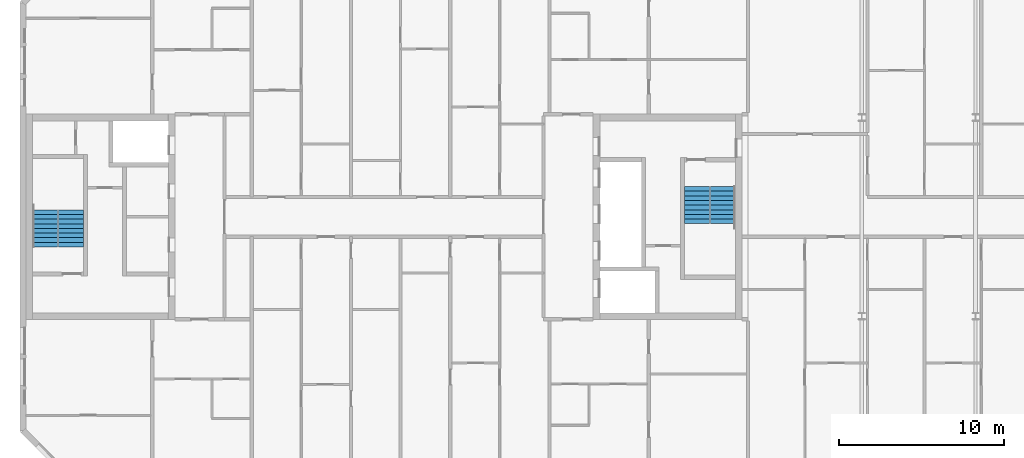
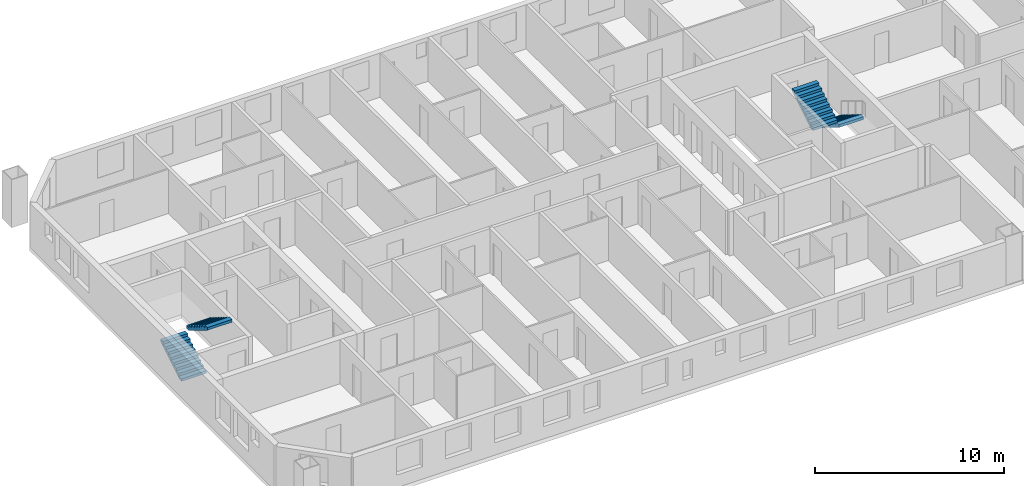
# One storey, part 18 of 19: 4 stair flights, 2 elements without a shape of their own.
"""IFC4 building model written with IfcOpenShell, lengths in metres."""

from ifc_helpers import new_model, si_unit, direction, frame, origin, place, context, subcontext, project, spatial, faceted_brep, material, type_object, element, aggregate, save


model = new_model("IFC4")

# Units and contexts
model_context = context("Model", 3, precision=1e-05, world=origin(), true_north=direction((0.0, 1.0)))
body_context = subcontext(model_context, "Body", "Model", "MODEL_VIEW")
ifc_project = project(units=[si_unit("LENGTHUNIT", "METRE"), si_unit("AREAUNIT", "SQUARE_METRE"), si_unit("VOLUMEUNIT", "CUBIC_METRE"), si_unit("PLANEANGLEUNIT", "RADIAN"), si_unit("MASSUNIT", "GRAM", prefix="KILO")], contexts=[model_context])

# Site, building, storey
site_placement = place(None, origin())
site = spatial("IfcSite", under=ifc_project, at=site_placement, CompositionType="ELEMENT")
building_placement = place(site_placement, origin())
building = spatial("IfcBuilding", under=site, at=building_placement, Name="Tuart Gate Housing", CompositionType="ELEMENT")
storey_placement = place(building_placement, frame((0.0, 0.0, 230.699951171875)))
storey = spatial("IfcBuildingStorey", under=building, at=storey_placement, Name="L65", CompositionType="ELEMENT", Elevation=230.699951171875)

# Stair, stair flights
ifc_material_1 = material(Name="Concrete C40", Category="concrete")
stair_type = type_object("IfcStairType", Name="Core stair 1500", PredefinedType="HALF_TURN_STAIR", material=ifc_material_1)
stair_1_placement = place(storey_placement, origin())
stair_1 = element("IfcStair", 1, at=stair_1_placement, inside=storey, type_object=stair_type, Name="Stair SA1", PredefinedType="HALF_TURN_STAIR")
ifc_material_2 = material(Name="Concrete C40", Category="concrete")
stair_flight_type = type_object("IfcStairFlightType", Name="Stair flight 1500, 9 risers 172 x 280", PredefinedType="STRAIGHT", material=ifc_material_2)
stair_flight_1_placement = place(storey_placement, frame((74.489990234375, 71.824951171875, 0.0), z_axis=(0.0, 0.0, 1.0), x_axis=(0.0, -1.0, 0.0)))
stair_flight_1 = element("IfcStairFlight", 2, at=stair_flight_1_placement, type_object=stair_flight_type, Name="SA1 flight 1", NumberOfRisers=9, NumberOfTreads=8, PredefinedType="STRAIGHT", RiserHeight=0.172222222, TreadLength=0.28, context=body_context, shape_type="Brep", body=[
    faceted_brep([(0.0, 0.75, 0.0), (0.0, 0.75, 0.172119140625), (0.280029296875, 0.75, 0.172119140625), (0.280029296875, 0.75, 0.344482421875), (0.56005859375, 0.75, 0.344482421875), (0.56005859375, 0.75, 0.5166015625), (0.840087890625, 0.75, 0.5166015625), (0.840087890625, 0.75, 0.68896484375), (1.1201171875, 0.75, 0.68896484375), (1.1201171875, 0.75, 0.861083984375), (1.39990234375, 0.75, 0.861083984375), (1.39990234375, 0.75, 1.033447265625), (1.679931640625, 0.75, 1.033447265625), (1.679931640625, 0.75, 1.20556640625), (1.9599609375, 0.75, 1.20556640625), (1.9599609375, 0.75, 1.377685546875), (2.239990234375, 0.75, 1.377685546875), (2.239990234375, 0.75, 1.201904296875), (0.2861328125, 0.75, 0.0), (0.2861328125, -0.75, 0.0), (2.239990234375, -0.75, 1.201904296875), (2.239990234375, -0.75, 1.377685546875), (1.9599609375, -0.75, 1.377685546875), (1.9599609375, -0.75, 1.20556640625), (1.679931640625, -0.75, 1.20556640625), (1.679931640625, -0.75, 1.033447265625), (1.39990234375, -0.75, 1.033447265625), (1.39990234375, -0.75, 0.861083984375), (1.1201171875, -0.75, 0.861083984375), (1.1201171875, -0.75, 0.68896484375), (0.840087890625, -0.75, 0.68896484375), (0.840087890625, -0.75, 0.5166015625), (0.56005859375, -0.75, 0.5166015625), (0.56005859375, -0.75, 0.344482421875), (0.280029296875, -0.75, 0.344482421875), (0.280029296875, -0.75, 0.172119140625), (0.0, -0.75, 0.172119140625), (0.0, -0.75, 0.0), (2.239990234375, 0.0, 1.201904296875), (0.2861328125, 0.0, 0.0), (2.239990234375, 0.0, 1.377685546875), (1.9599609375, 0.0, 1.377685546875), (1.9599609375, 0.0, 1.20556640625), (1.679931640625, 0.0, 1.20556640625), (1.679931640625, 0.0, 1.033447265625), (1.39990234375, 0.0, 1.033447265625), (1.39990234375, 0.0, 0.861083984375), (1.1201171875, 0.0, 0.861083984375), (1.1201171875, 0.0, 0.68896484375), (0.840087890625, 0.0, 0.68896484375), (0.840087890625, 0.0, 0.5166015625), (0.56005859375, 0.0, 0.5166015625), (0.56005859375, 0.0, 0.344482421875), (0.280029296875, 0.0, 0.344482421875), (0.280029296875, 0.0, 0.172119140625), (0.0, 0.0, 0.172119140625), (0.0, 0.0, 0.0)], [[[0, 1, 2, 3, 4, 5, 6, 7, 8, 9, 10, 11, 12, 13, 14, 15, 16, 17, 18]], [[19, 20, 21, 22, 23, 24, 25, 26, 27, 28, 29, 30, 31, 32, 33, 34, 35, 36, 37]], [[18, 17, 38, 39]], [[39, 38, 20, 19]], [[17, 16, 40, 38]], [[38, 40, 21, 20]], [[16, 15, 41, 40]], [[40, 41, 22, 21]], [[15, 14, 42, 41]], [[41, 42, 23, 22]], [[14, 13, 43, 42]], [[42, 43, 24, 23]], [[13, 12, 44, 43]], [[43, 44, 25, 24]], [[12, 11, 45, 44]], [[44, 45, 26, 25]], [[11, 10, 46, 45]], [[45, 46, 27, 26]], [[10, 9, 47, 46]], [[46, 47, 28, 27]], [[9, 8, 48, 47]], [[47, 48, 29, 28]], [[8, 7, 49, 48]], [[48, 49, 30, 29]], [[7, 6, 50, 49]], [[49, 50, 31, 30]], [[6, 5, 51, 50]], [[50, 51, 32, 31]], [[5, 4, 52, 51]], [[51, 52, 33, 32]], [[4, 3, 53, 52]], [[52, 53, 34, 33]], [[3, 2, 54, 53]], [[53, 54, 35, 34]], [[2, 1, 55, 54]], [[54, 55, 36, 35]], [[1, 0, 56, 55]], [[55, 56, 37, 36]], [[0, 18, 39, 56]], [[56, 39, 19, 37]]]),
])
stair_flight_2_placement = place(storey_placement, frame((72.9150390625, 69.5849609375, 1.550048828125), z_axis=(0.0, 0.0, 1.0), x_axis=(0.0, 1.0, 0.0)))
stair_flight_2 = element("IfcStairFlight", 3, at=stair_flight_2_placement, type_object=stair_flight_type, Name="SA1 flight 2", NumberOfRisers=9, NumberOfTreads=8, PredefinedType="STRAIGHT", RiserHeight=0.172222222, TreadLength=0.28, context=body_context, shape_type="Brep", body=[
    faceted_brep([(0.0, 0.75, 0.0), (0.0, 0.75, 0.172119140625), (0.280029296875, 0.75, 0.172119140625), (0.280029296875, 0.75, 0.344482421875), (0.56005859375, 0.75, 0.344482421875), (0.56005859375, 0.75, 0.5166015625), (0.840087890625, 0.75, 0.5166015625), (0.840087890625, 0.75, 0.68896484375), (1.1201171875, 0.75, 0.68896484375), (1.1201171875, 0.75, 0.861083984375), (1.39990234375, 0.75, 0.861083984375), (1.39990234375, 0.75, 1.033447265625), (1.679931640625, 0.75, 1.033447265625), (1.679931640625, 0.75, 1.20556640625), (1.9599609375, 0.75, 1.20556640625), (1.9599609375, 0.75, 1.377685546875), (2.239990234375, 0.75, 1.377685546875), (2.239990234375, 0.75, 1.201904296875), (0.2861328125, 0.75, 0.0), (0.2861328125, -0.75, 0.0), (2.239990234375, -0.75, 1.201904296875), (2.239990234375, -0.75, 1.377685546875), (1.9599609375, -0.75, 1.377685546875), (1.9599609375, -0.75, 1.20556640625), (1.679931640625, -0.75, 1.20556640625), (1.679931640625, -0.75, 1.033447265625), (1.39990234375, -0.75, 1.033447265625), (1.39990234375, -0.75, 0.861083984375), (1.1201171875, -0.75, 0.861083984375), (1.1201171875, -0.75, 0.68896484375), (0.840087890625, -0.75, 0.68896484375), (0.840087890625, -0.75, 0.5166015625), (0.56005859375, -0.75, 0.5166015625), (0.56005859375, -0.75, 0.344482421875), (0.280029296875, -0.75, 0.344482421875), (0.280029296875, -0.75, 0.172119140625), (0.0, -0.75, 0.172119140625), (0.0, -0.75, 0.0), (2.239990234375, 0.0, 1.201904296875), (0.2861328125, 0.0, 0.0), (2.239990234375, 0.0, 1.377685546875), (1.9599609375, 0.0, 1.377685546875), (1.9599609375, 0.0, 1.20556640625), (1.679931640625, 0.0, 1.20556640625), (1.679931640625, 0.0, 1.033447265625), (1.39990234375, 0.0, 1.033447265625), (1.39990234375, 0.0, 0.861083984375), (1.1201171875, 0.0, 0.861083984375), (1.1201171875, 0.0, 0.68896484375), (0.840087890625, 0.0, 0.68896484375), (0.840087890625, 0.0, 0.5166015625), (0.56005859375, 0.0, 0.5166015625), (0.56005859375, 0.0, 0.344482421875), (0.280029296875, 0.0, 0.344482421875), (0.280029296875, 0.0, 0.172119140625), (0.0, 0.0, 0.172119140625), (0.0, 0.0, 0.0)], [[[0, 1, 2, 3, 4, 5, 6, 7, 8, 9, 10, 11, 12, 13, 14, 15, 16, 17, 18]], [[19, 20, 21, 22, 23, 24, 25, 26, 27, 28, 29, 30, 31, 32, 33, 34, 35, 36, 37]], [[18, 17, 38, 39]], [[39, 38, 20, 19]], [[17, 16, 40, 38]], [[38, 40, 21, 20]], [[16, 15, 41, 40]], [[40, 41, 22, 21]], [[15, 14, 42, 41]], [[41, 42, 23, 22]], [[14, 13, 43, 42]], [[42, 43, 24, 23]], [[13, 12, 44, 43]], [[43, 44, 25, 24]], [[12, 11, 45, 44]], [[44, 45, 26, 25]], [[11, 10, 46, 45]], [[45, 46, 27, 26]], [[10, 9, 47, 46]], [[46, 47, 28, 27]], [[9, 8, 48, 47]], [[47, 48, 29, 28]], [[8, 7, 49, 48]], [[48, 49, 30, 29]], [[7, 6, 50, 49]], [[49, 50, 31, 30]], [[6, 5, 51, 50]], [[50, 51, 32, 31]], [[5, 4, 52, 51]], [[51, 52, 33, 32]], [[4, 3, 53, 52]], [[52, 53, 34, 33]], [[3, 2, 54, 53]], [[53, 54, 35, 34]], [[2, 1, 55, 54]], [[54, 55, 36, 35]], [[1, 0, 56, 55]], [[55, 56, 37, 36]], [[0, 18, 39, 56]], [[56, 39, 19, 37]]]),
])
aggregate(stair_1, [stair_flight_1, stair_flight_2])

stair_2_placement = place(storey_placement, origin())
stair_2 = element("IfcStair", 4, at=stair_2_placement, inside=storey, type_object=stair_type, Name="Stair SA2", PredefinedType="HALF_TURN_STAIR")
stair_flight_3_placement = place(storey_placement, frame((33.510009765625, 68.175048828125, 0.0), z_axis=(0.0, 0.0, 1.0), x_axis=(0.0, 1.0, 0.0)))
stair_flight_3 = element("IfcStairFlight", 5, at=stair_flight_3_placement, type_object=stair_flight_type, Name="SA2 flight 1", NumberOfRisers=9, NumberOfTreads=8, PredefinedType="STRAIGHT", RiserHeight=0.172222222, TreadLength=0.28, context=body_context, shape_type="Brep", body=[
    faceted_brep([(0.0, 0.75, 0.0), (0.0, 0.75, 0.172119140625), (0.280029296875, 0.75, 0.172119140625), (0.280029296875, 0.75, 0.344482421875), (0.56005859375, 0.75, 0.344482421875), (0.56005859375, 0.75, 0.5166015625), (0.840087890625, 0.75, 0.5166015625), (0.840087890625, 0.75, 0.68896484375), (1.1201171875, 0.75, 0.68896484375), (1.1201171875, 0.75, 0.861083984375), (1.39990234375, 0.75, 0.861083984375), (1.39990234375, 0.75, 1.033447265625), (1.679931640625, 0.75, 1.033447265625), (1.679931640625, 0.75, 1.20556640625), (1.9599609375, 0.75, 1.20556640625), (1.9599609375, 0.75, 1.377685546875), (2.239990234375, 0.75, 1.377685546875), (2.239990234375, 0.75, 1.201904296875), (0.2861328125, 0.75, 0.0), (0.2861328125, -0.75, 0.0), (2.239990234375, -0.75, 1.201904296875), (2.239990234375, -0.75, 1.377685546875), (1.9599609375, -0.75, 1.377685546875), (1.9599609375, -0.75, 1.20556640625), (1.679931640625, -0.75, 1.20556640625), (1.679931640625, -0.75, 1.033447265625), (1.39990234375, -0.75, 1.033447265625), (1.39990234375, -0.75, 0.861083984375), (1.1201171875, -0.75, 0.861083984375), (1.1201171875, -0.75, 0.68896484375), (0.840087890625, -0.75, 0.68896484375), (0.840087890625, -0.75, 0.5166015625), (0.56005859375, -0.75, 0.5166015625), (0.56005859375, -0.75, 0.344482421875), (0.280029296875, -0.75, 0.344482421875), (0.280029296875, -0.75, 0.172119140625), (0.0, -0.75, 0.172119140625), (0.0, -0.75, 0.0), (2.239990234375, 0.0, 1.201904296875), (0.2861328125, 0.0, 0.0), (2.239990234375, 0.0, 1.377685546875), (1.9599609375, 0.0, 1.377685546875), (1.9599609375, 0.0, 1.20556640625), (1.679931640625, 0.0, 1.20556640625), (1.679931640625, 0.0, 1.033447265625), (1.39990234375, 0.0, 1.033447265625), (1.39990234375, 0.0, 0.861083984375), (1.1201171875, 0.0, 0.861083984375), (1.1201171875, 0.0, 0.68896484375), (0.840087890625, 0.0, 0.68896484375), (0.840087890625, 0.0, 0.5166015625), (0.56005859375, 0.0, 0.5166015625), (0.56005859375, 0.0, 0.344482421875), (0.280029296875, 0.0, 0.344482421875), (0.280029296875, 0.0, 0.172119140625), (0.0, 0.0, 0.172119140625), (0.0, 0.0, 0.0)], [[[0, 1, 2, 3, 4, 5, 6, 7, 8, 9, 10, 11, 12, 13, 14, 15, 16, 17, 18]], [[19, 20, 21, 22, 23, 24, 25, 26, 27, 28, 29, 30, 31, 32, 33, 34, 35, 36, 37]], [[18, 17, 38, 39]], [[39, 38, 20, 19]], [[17, 16, 40, 38]], [[38, 40, 21, 20]], [[16, 15, 41, 40]], [[40, 41, 22, 21]], [[15, 14, 42, 41]], [[41, 42, 23, 22]], [[14, 13, 43, 42]], [[42, 43, 24, 23]], [[13, 12, 44, 43]], [[43, 44, 25, 24]], [[12, 11, 45, 44]], [[44, 45, 26, 25]], [[11, 10, 46, 45]], [[45, 46, 27, 26]], [[10, 9, 47, 46]], [[46, 47, 28, 27]], [[9, 8, 48, 47]], [[47, 48, 29, 28]], [[8, 7, 49, 48]], [[48, 49, 30, 29]], [[7, 6, 50, 49]], [[49, 50, 31, 30]], [[6, 5, 51, 50]], [[50, 51, 32, 31]], [[5, 4, 52, 51]], [[51, 52, 33, 32]], [[4, 3, 53, 52]], [[52, 53, 34, 33]], [[3, 2, 54, 53]], [[53, 54, 35, 34]], [[2, 1, 55, 54]], [[54, 55, 36, 35]], [[1, 0, 56, 55]], [[55, 56, 37, 36]], [[0, 18, 39, 56]], [[56, 39, 19, 37]]]),
])
stair_flight_4_placement = place(storey_placement, frame((35.0849609375, 70.4150390625, 1.550048828125), z_axis=(0.0, 0.0, 1.0), x_axis=(0.0, -1.0, 0.0)))
stair_flight_4 = element("IfcStairFlight", 6, at=stair_flight_4_placement, type_object=stair_flight_type, Name="SA2 flight 2", NumberOfRisers=9, NumberOfTreads=8, PredefinedType="STRAIGHT", RiserHeight=0.172222222, TreadLength=0.28, context=body_context, shape_type="Brep", body=[
    faceted_brep([(0.0, 0.75, 0.0), (0.0, 0.75, 0.172119140625), (0.280029296875, 0.75, 0.172119140625), (0.280029296875, 0.75, 0.344482421875), (0.56005859375, 0.75, 0.344482421875), (0.56005859375, 0.75, 0.5166015625), (0.840087890625, 0.75, 0.5166015625), (0.840087890625, 0.75, 0.68896484375), (1.1201171875, 0.75, 0.68896484375), (1.1201171875, 0.75, 0.861083984375), (1.39990234375, 0.75, 0.861083984375), (1.39990234375, 0.75, 1.033447265625), (1.679931640625, 0.75, 1.033447265625), (1.679931640625, 0.75, 1.20556640625), (1.9599609375, 0.75, 1.20556640625), (1.9599609375, 0.75, 1.377685546875), (2.239990234375, 0.75, 1.377685546875), (2.239990234375, 0.75, 1.201904296875), (0.2861328125, 0.75, 0.0), (0.2861328125, -0.75, 0.0), (2.239990234375, -0.75, 1.201904296875), (2.239990234375, -0.75, 1.377685546875), (1.9599609375, -0.75, 1.377685546875), (1.9599609375, -0.75, 1.20556640625), (1.679931640625, -0.75, 1.20556640625), (1.679931640625, -0.75, 1.033447265625), (1.39990234375, -0.75, 1.033447265625), (1.39990234375, -0.75, 0.861083984375), (1.1201171875, -0.75, 0.861083984375), (1.1201171875, -0.75, 0.68896484375), (0.840087890625, -0.75, 0.68896484375), (0.840087890625, -0.75, 0.5166015625), (0.56005859375, -0.75, 0.5166015625), (0.56005859375, -0.75, 0.344482421875), (0.280029296875, -0.75, 0.344482421875), (0.280029296875, -0.75, 0.172119140625), (0.0, -0.75, 0.172119140625), (0.0, -0.75, 0.0), (2.239990234375, 0.0, 1.201904296875), (0.2861328125, 0.0, 0.0), (2.239990234375, 0.0, 1.377685546875), (1.9599609375, 0.0, 1.377685546875), (1.9599609375, 0.0, 1.20556640625), (1.679931640625, 0.0, 1.20556640625), (1.679931640625, 0.0, 1.033447265625), (1.39990234375, 0.0, 1.033447265625), (1.39990234375, 0.0, 0.861083984375), (1.1201171875, 0.0, 0.861083984375), (1.1201171875, 0.0, 0.68896484375), (0.840087890625, 0.0, 0.68896484375), (0.840087890625, 0.0, 0.5166015625), (0.56005859375, 0.0, 0.5166015625), (0.56005859375, 0.0, 0.344482421875), (0.280029296875, 0.0, 0.344482421875), (0.280029296875, 0.0, 0.172119140625), (0.0, 0.0, 0.172119140625), (0.0, 0.0, 0.0)], [[[0, 1, 2, 3, 4, 5, 6, 7, 8, 9, 10, 11, 12, 13, 14, 15, 16, 17, 18]], [[19, 20, 21, 22, 23, 24, 25, 26, 27, 28, 29, 30, 31, 32, 33, 34, 35, 36, 37]], [[18, 17, 38, 39]], [[39, 38, 20, 19]], [[17, 16, 40, 38]], [[38, 40, 21, 20]], [[16, 15, 41, 40]], [[40, 41, 22, 21]], [[15, 14, 42, 41]], [[41, 42, 23, 22]], [[14, 13, 43, 42]], [[42, 43, 24, 23]], [[13, 12, 44, 43]], [[43, 44, 25, 24]], [[12, 11, 45, 44]], [[44, 45, 26, 25]], [[11, 10, 46, 45]], [[45, 46, 27, 26]], [[10, 9, 47, 46]], [[46, 47, 28, 27]], [[9, 8, 48, 47]], [[47, 48, 29, 28]], [[8, 7, 49, 48]], [[48, 49, 30, 29]], [[7, 6, 50, 49]], [[49, 50, 31, 30]], [[6, 5, 51, 50]], [[50, 51, 32, 31]], [[5, 4, 52, 51]], [[51, 52, 33, 32]], [[4, 3, 53, 52]], [[52, 53, 34, 33]], [[3, 2, 54, 53]], [[53, 54, 35, 34]], [[2, 1, 55, 54]], [[54, 55, 36, 35]], [[1, 0, 56, 55]], [[55, 56, 37, 36]], [[0, 18, 39, 56]], [[56, 39, 19, 37]]]),
])
aggregate(stair_2, [stair_flight_3, stair_flight_4])

save(model, "model.ifc")
